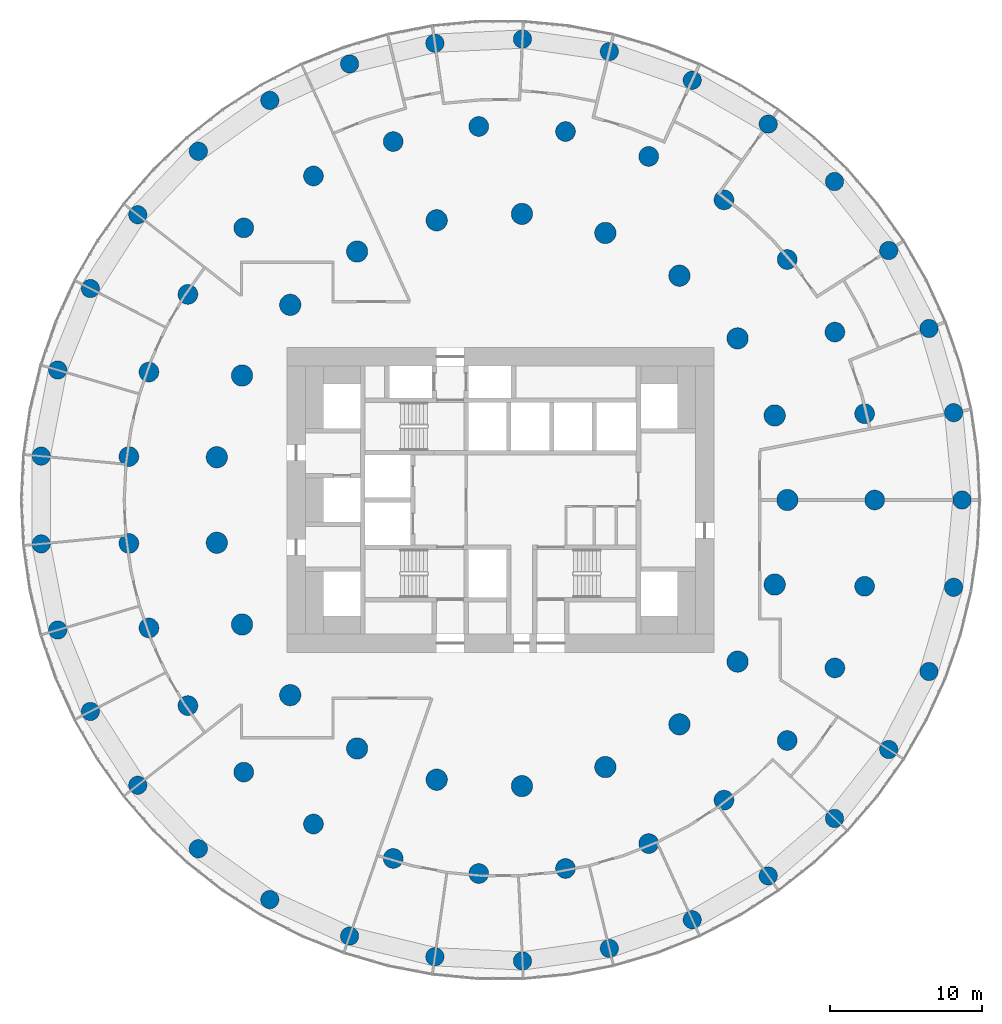
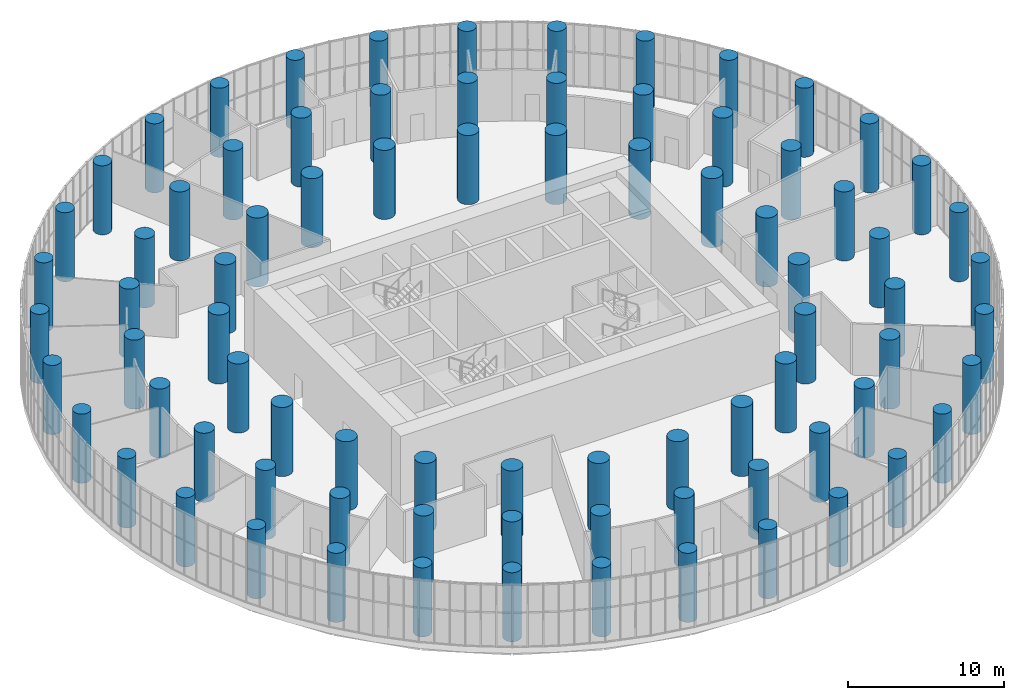
# One storey, part 1 of 27: 81 columns.
"""IFC4 building model written with IfcOpenShell, lengths in metres."""

from ifc_helpers import new_model, si_unit, direction, frame, origin, origin_2d, place, context, subcontext, project, spatial, circle, extrude, material, material_profile, profile_set, type_object, element, save


model = new_model("IFC4")

# Units and contexts
model_context = context("Model", 3, precision=1e-05, world=origin(), true_north=direction((0.0, 1.0)))
body_context = subcontext(model_context, "Body", "Model", "MODEL_VIEW")
ifc_project = project(units=[si_unit("LENGTHUNIT", "METRE"), si_unit("AREAUNIT", "SQUARE_METRE"), si_unit("VOLUMEUNIT", "CUBIC_METRE"), si_unit("PLANEANGLEUNIT", "RADIAN"), si_unit("MASSUNIT", "GRAM", prefix="KILO")], contexts=[model_context])

# Site, building, storey
site_placement = place(None, origin())
site = spatial("IfcSite", under=ifc_project, at=site_placement, CompositionType="ELEMENT")
building_placement = place(site_placement, origin())
building = spatial("IfcBuilding", under=site, at=building_placement, Name="Tracery Tower", CompositionType="ELEMENT")
storey_placement = place(building_placement, frame((0.0, 0.0, 114.60009765625)))
storey = spatial("IfcBuildingStorey", under=building, at=storey_placement, Name="L29", CompositionType="ELEMENT", Elevation=114.60009765625)

# Columns
ifc_material_1 = material(Name="Concrete C60/75", Category="concrete")
ifc_material_profile_1 = material_profile(ifc_material_1, circle(Radius=0.60009765625, at=origin_2d()), Name="RC D1200")
ifc_profile_set_1 = profile_set([ifc_material_profile_1], Name="Concrete C60/75")
column_type_1 = type_object("IfcColumnType", Name="Ring 0 column 1200", PredefinedType="COLUMN", material=ifc_profile_set_1)
for number, where, z_axis, x_axis, name in (
    (1, (30.274658203125, 0.0, 0.0), (0.0, 0.0, 1.0), (1.0, 0.0, 0.0), "Ring 0 column 00 at L29"),
    (2, (29.7275390625, 5.7294921875, 0.0), (0.0, 0.0, 1.0), (1.0, 0.0, 0.0), "Ring 0 column 01 at L29"),
    (3, (28.10595703125, 11.251953125, 0.0), (0.0, 0.0, 1.0), (1.0, 0.0, 0.0), "Ring 0 column 02 at L29"),
    (4, (25.468505859375, 16.36767578125, 0.0), (0.0, 0.0, 1.0), (1.0, 0.0, 0.0), "Ring 0 column 03 at L29"),
    (5, (21.910888671875, 20.891845703125, 0.0), (0.0, 0.0, 1.0), (1.0, 0.0, 0.0), "Ring 0 column 04 at L29"),
    (6, (17.56103515625, 24.660888671875, 0.0), (0.0, 0.0, 1.0), (1.0, 0.0, 0.0), "Ring 0 column 05 at L29"),
    (7, (12.576416015625, 27.538818359375, 0.0), (0.0, 0.0, 1.0), (1.0, 0.0, 0.0), "Ring 0 column 06 at L29"),
    (8, (7.137451171875, 29.421142578125, 0.0), (0.0, 0.0, 1.0), (1.0, 0.0, 0.0), "Ring 0 column 07 at L29"),
    (9, (1.4404296875, 30.240234375, 0.0), (0.0, 0.0, 1.0), (1.0, 0.0, 0.0), "Ring 0 column 08 at L29"),
    (10, (-4.30859375, 29.96630859375, 0.0), (0.0, 0.0, 1.0), (1.0, 0.0, 0.0), "Ring 0 column 09 at L29"),
    (11, (-9.90185546875, 28.609619140625, 0.0), (0.0, 0.0, 1.0), (1.0, 0.0, 0.0), "Ring 0 column 10 at L29"),
    (12, (-15.13720703125, 26.218505859375, 0.0), (0.0, 0.0, 1.0), (1.0, 0.0, 0.0), "Ring 0 column 11 at L29"),
    (13, (-19.82568359375, 22.8798828125, 0.0), (0.0, 0.0, 1.0), (1.0, 0.0, 0.0), "Ring 0 column 12 at L29"),
    (14, (-23.79736328125, 18.714599609375, 0.0), (0.0, 0.0, 1.0), (1.0, 0.0, 0.0), "Ring 0 column 13 at L29"),
    (15, (-26.9091796875, 13.87255859375, 0.0), (0.0, 0.0, 1.0), (1.0, 0.0, 0.0), "Ring 0 column 14 at L29"),
    (16, (-29.04833984375, 8.529296875, 0.0), (0.0, 0.0, 1.0), (1.0, 0.0, 0.0), "Ring 0 column 15 at L29"),
    (17, (-30.137451171875, 2.877685546875, 0.0), (0.0, 0.0, 1.0), (1.0, 0.0, 0.0), "Ring 0 column 16 at L29"),
    (18, (-30.137451171875, -2.877685546875, 0.0), (0.0, 0.0, 1.0), (1.0, 0.0, 0.0), "Ring 0 column 17 at L29"),
    (19, (-29.04833984375, -8.529296875, 0.0), (0.0, 0.0, 1.0), (1.0, 0.0, 0.0), "Ring 0 column 18 at L29"),
    (20, (-26.9091796875, -13.87255859375, 0.0), (0.0, 0.0, 1.0), (1.0, 0.0, 0.0), "Ring 0 column 19 at L29"),
    (21, (-23.79736328125, -18.714599609375, 0.0), (0.0, 0.0, 1.0), (1.0, 0.0, 0.0), "Ring 0 column 20 at L29"),
    (22, (-19.82568359375, -22.8798828125, 0.0), (0.0, 0.0, 1.0), (1.0, 0.0, 0.0), "Ring 0 column 21 at L29"),
    (23, (-15.13720703125, -26.218505859375, 0.0), (0.0, 0.0, 1.0), (1.0, 0.0, 0.0), "Ring 0 column 22 at L29"),
    (24, (-9.90185546875, -28.609619140625, 0.0), (0.0, 0.0, 1.0), (1.0, 0.0, 0.0), "Ring 0 column 23 at L29"),
    (25, (-4.30859375, -29.96630859375, 0.0), (0.0, 0.0, 1.0), (1.0, 0.0, 0.0), "Ring 0 column 24 at L29"),
    (26, (1.4404296875, -30.240234375, 0.0), (0.0, 0.0, 1.0), (1.0, 0.0, 0.0), "Ring 0 column 25 at L29"),
    (27, (7.137451171875, -29.421142578125, 0.0), (0.0, 0.0, 1.0), (1.0, 0.0, 0.0), "Ring 0 column 26 at L29"),
    (28, (12.576416015625, -27.538818359375, 0.0), (0.0, 0.0, 1.0), (1.0, 0.0, 0.0), "Ring 0 column 27 at L29"),
    (29, (17.56103515625, -24.660888671875, 0.0), (0.0, 0.0, 1.0), (1.0, 0.0, 0.0), "Ring 0 column 28 at L29"),
    (30, (21.910888671875, -20.891845703125, 0.0), (0.0, 0.0, 1.0), (1.0, 0.0, 0.0), "Ring 0 column 29 at L29"),
    (31, (25.468505859375, -16.36767578125, 0.0), (0.0, 0.0, 1.0), (1.0, 0.0, 0.0), "Ring 0 column 30 at L29"),
    (32, (28.10595703125, -11.251953125, 0.0), (0.0, 0.0, 1.0), (1.0, 0.0, 0.0), "Ring 0 column 31 at L29"),
    (33, (29.7275390625, -5.7294921875, 0.0), (0.0, 0.0, 1.0), (1.0, 0.0, 0.0), "Ring 0 column 32 at L29"),
):
    element("IfcColumn", number, at=place(storey_placement, frame(where, z_axis=z_axis, x_axis=x_axis)), inside=storey, type_object=column_type_1, Name=name, PredefinedType="COLUMN", context=body_context, shape_type="SweptSolid", body=[
        extrude(circle(Radius=0.60009765625, at=origin_2d()), origin(), (0.0, 0.0, 1.0), 5.39990234375),
    ])
ifc_material_2 = material(Name="Concrete C60/75", Category="concrete")
ifc_material_profile_2 = material_profile(ifc_material_2, circle(Radius=0.64990234375, at=origin_2d()), Name="RC D1300")
ifc_profile_set_2 = profile_set([ifc_material_profile_2], Name="Concrete C60/75")
column_type_2 = type_object("IfcColumnType", Name="Ring 1 column 1300", PredefinedType="COLUMN", material=ifc_profile_set_2)
for number, where, z_axis, x_axis, name in (
    (34, (24.547607421875, 0.0, 0.0), (0.0, 0.0, 1.0), (1.0, 0.0, 0.0), "Ring 1 column 00 at L29"),
    (35, (23.885986328125, 5.6611328125, 0.0), (0.0, 0.0, 1.0), (1.0, 0.0, 0.0), "Ring 1 column 01 at L29"),
    (36, (21.9365234375, 11.01708984375, 0.0), (0.0, 0.0, 1.0), (1.0, 0.0, 0.0), "Ring 1 column 02 at L29"),
    (37, (18.8046875, 15.779052734375, 0.0), (0.0, 0.0, 1.0), (1.0, 0.0, 0.0), "Ring 1 column 03 at L29"),
    (38, (14.658935546875, 19.690185546875, 0.0), (0.0, 0.0, 1.0), (1.0, 0.0, 0.0), "Ring 1 column 04 at L29"),
    (39, (9.722900390625, 22.5400390625, 0.0), (0.0, 0.0, 1.0), (1.0, 0.0, 0.0), "Ring 1 column 05 at L29"),
    (40, (4.2626953125, 24.1748046875, 0.0), (0.0, 0.0, 1.0), (1.0, 0.0, 0.0), "Ring 1 column 06 at L29"),
    (41, (-1.42724609375, 24.506103515625, 0.0), (0.0, 0.0, 1.0), (1.0, 0.0, 0.0), "Ring 1 column 07 at L29"),
    (42, (-7.040283203125, 23.516357421875, 0.0), (0.0, 0.0, 1.0), (1.0, 0.0, 0.0), "Ring 1 column 08 at L29"),
    (43, (-12.273681640625, 21.2587890625, 0.0), (0.0, 0.0, 1.0), (1.0, 0.0, 0.0), "Ring 1 column 09 at L29"),
    (44, (-16.845703125, 17.855224609375, 0.0), (0.0, 0.0, 1.0), (1.0, 0.0, 0.0), "Ring 1 column 10 at L29"),
    (45, (-20.50927734375, 13.4892578125, 0.0), (0.0, 0.0, 1.0), (1.0, 0.0, 0.0), "Ring 1 column 11 at L29"),
    (46, (-23.0673828125, 8.395751953125, 0.0), (0.0, 0.0, 1.0), (1.0, 0.0, 0.0), "Ring 1 column 12 at L29"),
    (47, (-24.381591796875, 2.849853515625, 0.0), (0.0, 0.0, 1.0), (1.0, 0.0, 0.0), "Ring 1 column 13 at L29"),
    (48, (-24.381591796875, -2.849853515625, 0.0), (0.0, 0.0, 1.0), (1.0, 0.0, 0.0), "Ring 1 column 14 at L29"),
    (49, (-23.0673828125, -8.395751953125, 0.0), (0.0, 0.0, 1.0), (1.0, 0.0, 0.0), "Ring 1 column 15 at L29"),
    (50, (-20.50927734375, -13.4892578125, 0.0), (0.0, 0.0, 1.0), (1.0, 0.0, 0.0), "Ring 1 column 16 at L29"),
    (51, (-16.845703125, -17.85546875, 0.0), (0.0, 0.0, 1.0), (1.0, 0.0, 0.0), "Ring 1 column 17 at L29"),
    (52, (-12.27392578125, -21.2587890625, 0.0), (0.0, 0.0, 1.0), (1.0, 0.0, 0.0), "Ring 1 column 18 at L29"),
    (53, (-7.040283203125, -23.516357421875, 0.0), (0.0, 0.0, 1.0), (1.0, 0.0, 0.0), "Ring 1 column 19 at L29"),
    (54, (-1.42724609375, -24.506103515625, 0.0), (0.0, 0.0, 1.0), (1.0, 0.0, 0.0), "Ring 1 column 20 at L29"),
    (55, (4.2626953125, -24.1748046875, 0.0), (0.0, 0.0, 1.0), (1.0, 0.0, 0.0), "Ring 1 column 21 at L29"),
    (56, (9.722900390625, -22.5400390625, 0.0), (0.0, 0.0, 1.0), (1.0, 0.0, 0.0), "Ring 1 column 22 at L29"),
    (57, (14.658935546875, -19.690185546875, 0.0), (0.0, 0.0, 1.0), (1.0, 0.0, 0.0), "Ring 1 column 23 at L29"),
    (58, (18.8046875, -15.779052734375, 0.0), (0.0, 0.0, 1.0), (1.0, 0.0, 0.0), "Ring 1 column 24 at L29"),
    (59, (21.9365234375, -11.01708984375, 0.0), (0.0, 0.0, 1.0), (1.0, 0.0, 0.0), "Ring 1 column 25 at L29"),
    (60, (23.885986328125, -5.6611328125, 0.0), (0.0, 0.0, 1.0), (1.0, 0.0, 0.0), "Ring 1 column 26 at L29"),
):
    element("IfcColumn", number, at=place(storey_placement, frame(where, z_axis=z_axis, x_axis=x_axis)), inside=storey, type_object=column_type_2, Name=name, PredefinedType="COLUMN", context=body_context, shape_type="SweptSolid", body=[
        extrude(circle(Radius=0.64990234375, at=origin_2d()), origin(), (0.0, 0.0, 1.0), 5.39990234375),
    ])
ifc_material_3 = material(Name="Concrete C60/75", Category="concrete")
ifc_material_profile_3 = material_profile(ifc_material_3, circle(Radius=0.699951171875, at=origin_2d()), Name="RC D1400")
ifc_profile_set_3 = profile_set([ifc_material_profile_3], Name="Concrete C60/75")
column_type_3 = type_object("IfcColumnType", Name="Ring 2 column 1400", PredefinedType="COLUMN", material=ifc_profile_set_3)
for number, where, z_axis, x_axis, name in (
    (61, (18.822265625, 0.0, 0.0), (0.0, 0.0, 1.0), (1.0, 0.0, 0.0), "Ring 2 column 00 at L29"),
    (62, (17.986083984375, 5.5478515625, 0.0), (0.0, 0.0, 1.0), (1.0, 0.0, 0.0), "Ring 2 column 01 at L29"),
    (63, (15.551513671875, 10.602783203125, 0.0), (0.0, 0.0, 1.0), (1.0, 0.0, 0.0), "Ring 2 column 02 at L29"),
    (64, (11.7353515625, 14.7158203125, 0.0), (0.0, 0.0, 1.0), (1.0, 0.0, 0.0), "Ring 2 column 03 at L29"),
    (65, (6.87646484375, 17.52099609375, 0.0), (0.0, 0.0, 1.0), (1.0, 0.0, 0.0), "Ring 2 column 04 at L29"),
    (66, (1.406494140625, 18.76953125, 0.0), (0.0, 0.0, 1.0), (1.0, 0.0, 0.0), "Ring 2 column 05 at L29"),
    (67, (-4.188232421875, 18.350341796875, 0.0), (0.0, 0.0, 1.0), (1.0, 0.0, 0.0), "Ring 2 column 06 at L29"),
    (68, (-9.4111328125, 16.300537109375, 0.0), (0.0, 0.0, 1.0), (1.0, 0.0, 0.0), "Ring 2 column 07 at L29"),
    (69, (-13.797607421875, 12.802490234375, 0.0), (0.0, 0.0, 1.0), (1.0, 0.0, 0.0), "Ring 2 column 08 at L29"),
    (70, (-16.958251953125, 8.16650390625, 0.0), (0.0, 0.0, 1.0), (1.0, 0.0, 0.0), "Ring 2 column 09 at L29"),
    (71, (-18.612060546875, 2.805419921875, 0.0), (0.0, 0.0, 1.0), (1.0, 0.0, 0.0), "Ring 2 column 10 at L29"),
    (72, (-18.612060546875, -2.805419921875, 0.0), (0.0, 0.0, 1.0), (1.0, 0.0, 0.0), "Ring 2 column 11 at L29"),
    (73, (-16.958251953125, -8.166748046875, 0.0), (0.0, 0.0, 1.0), (1.0, 0.0, 0.0), "Ring 2 column 12 at L29"),
    (74, (-13.797607421875, -12.80224609375, 0.0), (0.0, 0.0, 1.0), (1.0, 0.0, 0.0), "Ring 2 column 13 at L29"),
    (75, (-9.4111328125, -16.300537109375, 0.0), (0.0, 0.0, 1.0), (1.0, 0.0, 0.0), "Ring 2 column 14 at L29"),
    (76, (-4.188232421875, -18.350341796875, 0.0), (0.0, 0.0, 1.0), (1.0, 0.0, 0.0), "Ring 2 column 15 at L29"),
    (77, (1.406494140625, -18.76953125, 0.0), (0.0, 0.0, 1.0), (1.0, 0.0, 0.0), "Ring 2 column 16 at L29"),
    (78, (6.87646484375, -17.52099609375, 0.0), (0.0, 0.0, 1.0), (1.0, 0.0, 0.0), "Ring 2 column 17 at L29"),
    (79, (11.7353515625, -14.7158203125, 0.0), (0.0, 0.0, 1.0), (1.0, 0.0, 0.0), "Ring 2 column 18 at L29"),
    (80, (15.551513671875, -10.602783203125, 0.0), (0.0, 0.0, 1.0), (1.0, 0.0, 0.0), "Ring 2 column 19 at L29"),
    (81, (17.986083984375, -5.5478515625, 0.0), (0.0, 0.0, 1.0), (1.0, 0.0, 0.0), "Ring 2 column 20 at L29"),
):
    element("IfcColumn", number, at=place(storey_placement, frame(where, z_axis=z_axis, x_axis=x_axis)), inside=storey, type_object=column_type_3, Name=name, PredefinedType="COLUMN", context=body_context, shape_type="SweptSolid", body=[
        extrude(circle(Radius=0.699951171875, at=origin_2d()), origin(), (0.0, 0.0, 1.0), 5.39990234375),
    ])

save(model, "model.ifc")
